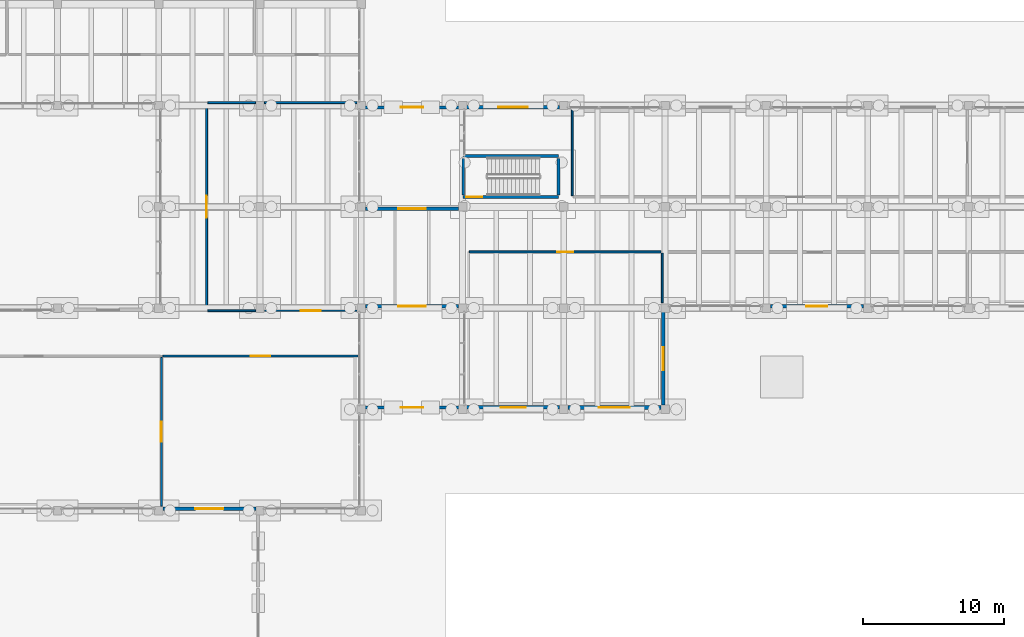
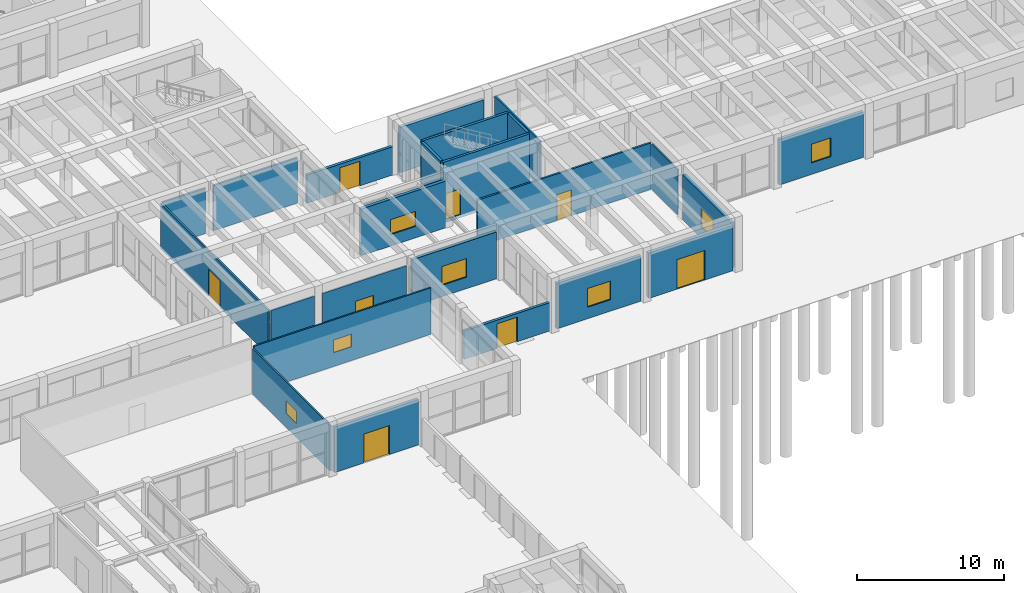
# One storey, part 120 of 155: 24 walls, 9 windows, 7 doors, 16 openings.
"""IFC4 building model written with IfcOpenShell, lengths in metres."""

import ifcopenshell
import ifcopenshell.guid

model = None  # the IFC model being written
_history = None  # IfcOwnerHistory: only IFC2X3 demands one
_inside = {}  # id of a spatial element -> (the spatial element, [elements in it])
_under = {}  # id of a project, library or spatial element -> (it, [spatial elements below it])
_declared = {}  # id of a project -> (the project, [libraries it declares])
_typed = {}  # id of a type object -> (the type object, [elements of that type])
_made_of = {}  # id of a material, layer set ... -> (it, [elements and type objects made of it])


def new_model(schema):
    """Start an empty IFC model of exactly this schema.

    Asked for "IFC4X3", IfcOpenShell would pick the latest addendum, in which some entities
    have other attributes; the version numbers below select the first issue.
    IFC2X3 requires an IfcOwnerHistory on every rooted entity: one is made here for all.
    """
    global model, _history
    if schema == "IFC4X3":
        model = ifcopenshell.file(schema_version=(4, 3, 0, 0))
    else:
        model = ifcopenshell.file(schema=schema)
    _inside.clear()
    _under.clear()
    _declared.clear()
    _typed.clear()
    _made_of.clear()
    _history = None
    if model.schema == "IFC2X3":
        org = make("IfcOrganization", Name="unknown")
        user = make(
            "IfcPersonAndOrganization",
            ThePerson=make("IfcPerson", FamilyName="unknown"),
            TheOrganization=org,
        )
        app = make(
            "IfcApplication",
            ApplicationDeveloper=org,
            Version="unknown",
            ApplicationFullName="unknown",
            ApplicationIdentifier="unknown",
        )
        _history = make(
            "IfcOwnerHistory",
            OwningUser=user,
            OwningApplication=app,
            ChangeAction="ADDED",
            CreationDate=0,
        )
    return model


def make(cls, **values):
    """One entity of the class cls with the attributes given. An attribute that is None is left unset."""
    return model.create_entity(
        cls, **{name: value for name, value in values.items() if value is not None}
    )


def rooted(cls, **values):
    """An entity with a GlobalId (a new one), such as an element, a storey or a relation."""
    return make(cls, GlobalId=ifcopenshell.guid.new(), OwnerHistory=_history, **values)


def si_unit(unit_type, name, prefix=None):
    """IfcSIUnit, for example si_unit("LENGTHUNIT", "METRE", prefix="MILLI")."""
    return make("IfcSIUnit", UnitType=unit_type, Prefix=prefix, Name=name)


def assignment(units):
    """IfcUnitAssignment: the units of a project."""
    return None if units is None else make("IfcUnitAssignment", Units=units)


def point(xyz):
    """IfcCartesianPoint."""
    return None if xyz is None else make("IfcCartesianPoint", Coordinates=xyz)


def direction(xyz):
    """IfcDirection."""
    return None if xyz is None else make("IfcDirection", DirectionRatios=xyz)


def frame(location, z_axis=None, x_axis=None):
    """IfcAxis2Placement3D, a coordinate frame: its origin and axes. An axis left out is left unset."""
    return make(
        "IfcAxis2Placement3D",
        Location=point(location),
        Axis=direction(z_axis),
        RefDirection=direction(x_axis),
    )


def frame_2d(location, x_axis=None):
    """IfcAxis2Placement2D, a coordinate frame in the plane: its origin and x axis."""
    return make(
        "IfcAxis2Placement2D", Location=point(location), RefDirection=direction(x_axis)
    )


def origin():
    """The frame at (0, 0, 0) with its axes left unset."""
    return frame((0.0, 0.0, 0.0))


def place(relative_to, where):
    """IfcLocalPlacement: puts the frame where relative to a parent placement (None: the world)."""
    return make(
        "IfcLocalPlacement", PlacementRelTo=relative_to, RelativePlacement=where
    )


def context(
    kind, dimensions, precision=None, world=None, true_north=None, identifier=None
):
    """IfcGeometricRepresentationContext, for example the 3D "Model" context."""
    return make(
        "IfcGeometricRepresentationContext",
        ContextIdentifier=identifier,
        ContextType=kind,
        CoordinateSpaceDimension=dimensions,
        Precision=precision,
        WorldCoordinateSystem=world,
        TrueNorth=true_north,
    )


def subcontext(parent, identifier, kind, view, scale=None):
    """IfcGeometricRepresentationSubContext, for example "Body" below "Model"."""
    return make(
        "IfcGeometricRepresentationSubContext",
        ContextIdentifier=identifier,
        ContextType=kind,
        ParentContext=parent,
        TargetScale=scale,
        TargetView=view,
    )


def project(units=None, contexts=None):
    """IfcProject with its units and contexts."""
    return rooted(
        "IfcProject",
        Name="project",
        RepresentationContexts=contexts,
        UnitsInContext=assignment(units),
    )


def spatial(cls, under=None, at=None, **own):
    """A site, building, storey or space (cls), placed at a placement, below another one or the project."""
    s = rooted(cls, ObjectPlacement=at, **own)
    if under is not None:
        _under.setdefault(under.id(), (under, []))[1].append(s)
    return s


def profile(cls, at=None, kind="AREA", **sizes):
    """A parametric profile (cls). Its sizes go by their IFC names, for example OverallWidth=200.0."""
    return make(cls, ProfileType=kind, Position=at, **sizes)


def rectangle(**sizes):
    """IfcRectangleProfileDef."""
    return profile("IfcRectangleProfileDef", **sizes)


def extrude(swept, where, along, depth):
    """IfcExtrudedAreaSolid: the profile swept, set in the frame where, extruded along a direction by depth."""
    return make(
        "IfcExtrudedAreaSolid",
        SweptArea=swept,
        Position=where,
        ExtrudedDirection=direction(along),
        Depth=depth,
    )


def shape(context_of_items, identifier, shape_type, items):
    """IfcShapeRepresentation: the items that make up one representation, for example the "Body"."""
    return make(
        "IfcShapeRepresentation",
        ContextOfItems=context_of_items,
        RepresentationIdentifier=identifier,
        RepresentationType=shape_type,
        Items=items,
    )


def material(Name=None, Category=None):
    """IfcMaterial."""
    return make("IfcMaterial", Name=Name, Category=Category)


def layer(
    of_material, thickness, ventilated=None, Name=None, Category=None, Priority=None
):
    """IfcMaterialLayer: one layer of a wall or slab, of a material (None: an air gap)."""
    return make(
        "IfcMaterialLayer",
        Material=of_material,
        LayerThickness=thickness,
        IsVentilated=ventilated,
        Name=Name,
        Category=Category,
        Priority=Priority,
    )


def layer_set(layers, Name=None):
    """IfcMaterialLayerSet."""
    return make("IfcMaterialLayerSet", MaterialLayers=layers, LayerSetName=Name)


def made_of(thing, what):
    """Note that an element or type object is made of a material, layer set ...; save() writes the relation."""
    if what is not None:
        _made_of.setdefault(what.id(), (what, []))[1].append(thing)
    return thing


def type_object(cls, material=None, **own):
    """A type object (cls), such as IfcWallType, which elements share."""
    return made_of(rooted(cls, **own), material)


def element(
    cls,
    number,
    at=None,
    inside=None,
    cuts=None,
    type_object=None,
    material=None,
    context=None,
    identifier="Body",
    shape_type=None,
    held_by="IfcProductDefinitionShape",
    body=None,
    shapes=None,
    **own,
):
    """One element of the class cls, such as IfcWall. Its Tag is "e" and its number.

    at: its placement. inside: the storey or other place that contains it. cuts: it is an
    opening in that element (IfcRelVoidsElement). A single representation is given by context,
    identifier, shape_type and body (its items); several are given by shapes. held_by: the class
    of the entity that holds the representations. save() writes the other relations.
    """
    e = rooted(cls, Tag="e%d" % number, ObjectPlacement=at, **own)
    if body is not None:
        shapes = [shape(context, identifier, shape_type, body)]
    if shapes is not None:
        e.Representation = make(held_by, Representations=shapes)
    if inside is not None:
        _inside.setdefault(inside.id(), (inside, []))[1].append(e)
    if cuts is not None:
        rooted(
            "IfcRelVoidsElement", RelatingBuildingElement=cuts, RelatedOpeningElement=e
        )
    if type_object is not None:
        _typed.setdefault(type_object.id(), (type_object, []))[1].append(e)
    return made_of(e, material)


def fill(opening, filler):
    """IfcRelFillsElement: the door or window that sits in an opening."""
    return rooted(
        "IfcRelFillsElement",
        RelatingOpeningElement=opening,
        RelatedBuildingElement=filler,
    )


def aggregate(whole, parts):
    """IfcRelAggregates: a whole, such as a stair, and the parts it consists of."""
    return rooted("IfcRelAggregates", RelatingObject=whole, RelatedObjects=parts)


def save(model, path):
    """Write the relations noted so far, then the file.

    IfcRelAggregates (storeys below a building ...), IfcRelContainedInSpatialStructure (elements
    in a storey), IfcRelDefinesByType, IfcRelAssociatesMaterial and IfcRelDeclares: one each for
    every whole, place, type object, material and project.
    """
    for whole, parts in _under.values():
        aggregate(whole, parts)
    for where, things in _inside.values():
        rooted(
            "IfcRelContainedInSpatialStructure",
            RelatedElements=things,
            RelatingStructure=where,
        )
    for kind, things in _typed.values():
        rooted("IfcRelDefinesByType", RelatedObjects=things, RelatingType=kind)
    for what, things in _made_of.values():
        rooted("IfcRelAssociatesMaterial", RelatedObjects=things, RelatingMaterial=what)
    for by, libraries in _declared.values():
        rooted("IfcRelDeclares", RelatingContext=by, RelatedDefinitions=libraries)
    model.write(path)


model = new_model("IFC4")

# Units and contexts
model_context = context("Model", 3, precision=1e-05, world=origin(), true_north=direction((0.0, 1.0)))
body_context = subcontext(model_context, "Body", "Model", "MODEL_VIEW")
ifc_project = project(units=[si_unit("LENGTHUNIT", "METRE"), si_unit("AREAUNIT", "SQUARE_METRE"), si_unit("VOLUMEUNIT", "CUBIC_METRE"), si_unit("PLANEANGLEUNIT", "RADIAN"), si_unit("MASSUNIT", "GRAM", prefix="KILO")], contexts=[model_context])

# Site, building, storey
site_placement = place(None, origin())
site = spatial("IfcSite", under=ifc_project, at=site_placement, CompositionType="ELEMENT")
building_placement = place(site_placement, origin())
building = spatial("IfcBuilding", under=site, at=building_placement, Name="Bramvelor Terrace Health Centre", CompositionType="ELEMENT")
storey_placement = place(building_placement, origin())
storey = spatial("IfcBuildingStorey", under=building, at=storey_placement, Name="L01", CompositionType="ELEMENT", Elevation=0.0)

# Wall
ifc_material_1 = material(Name="Acoustic clinical partition board", Category="gypsum")
ifc_layer_1 = layer(ifc_material_1, 0.110107421875)
ifc_layer_set_1 = layer_set([ifc_layer_1], Name="Acoustic clinical partition board")
wall_type_1 = type_object("IfcWallType", Name="WL-CLN-110", PredefinedType="PARTITIONING", material=ifc_layer_set_1)
wall_1_placement = place(storey_placement, frame((115.0, 54.300048828125, 0.0), z_axis=(0.0, 0.0, 1.0), x_axis=(0.0, -1.0, 0.0)))
element("IfcWall", 1, at=wall_1_placement, inside=storey, type_object=wall_type_1, Name="L01 Interior Partition 93", PredefinedType="PARTITIONING", context=body_context, shape_type="SweptSolid", body=[
    extrude(rectangle(XDim=3.5107421875, YDim=0.110107421875, at=frame_2d((1.75537109375, 0.0))), origin(), (0.0, 0.0, 1.0), 3.760009765625),
])

# Wall, opening, window
ifc_material_2 = material(Name="Acoustic clinical partition board", Category="gypsum")
ifc_layer_2 = layer(ifc_material_2, 0.1201171875)
ifc_layer_set_2 = layer_set([ifc_layer_2], Name="Acoustic clinical partition board")
wall_type_2 = type_object("IfcWallType", Name="WL-CLN-120", PredefinedType="PARTITIONING", material=ifc_layer_set_2)
wall_2_placement = place(storey_placement, frame((79.389892578125, 46.89990234375, 0.0), z_axis=(0.0, 0.0, 1.0), x_axis=(0.0, -1.0, 0.0)))
wall_2 = element("IfcWall", 2, at=wall_2_placement, inside=storey, type_object=wall_type_2, Name="L01 Interior Partition 77", PredefinedType="PARTITIONING", context=body_context, shape_type="SweptSolid", body=[
    extrude(rectangle(XDim=10.58984375, YDim=0.1201171875, at=frame_2d((5.294921875, 0.0))), origin(), (0.0, 0.0, 1.0), 3.760009765625),
])
opening_1_placement = place(wall_2_placement, frame((4.594970703125, 0.0, 1.14990234375)))
opening_1 = element("IfcOpeningElement", 3, at=opening_1_placement, cuts=wall_2, Name="Opening IWN-1", PredefinedType="OPENING", context=body_context, shape_type="SweptSolid", body=[
    extrude(rectangle(XDim=1.39990234375, YDim=1.050048828125, at=frame_2d((0.699951171875, 0.52490234375))), frame((0.0, 0.070068359375, 0.0), z_axis=(0.0, -1.0, 0.0), x_axis=(1.0, 0.0, 0.0)), (0.0, 0.0, 1.0), 0.14013671875),
])
ifc_material_3 = material(Name="Acoustic laminated observation glass", Category="glass")
window_type_1 = type_object("IfcWindowType", Name="WIN-INT-OBS140", PartitioningType="SINGLE_PANEL", PredefinedType="WINDOW", material=ifc_material_3)
window_1_placement = place(opening_1_placement, origin())
window_1 = element("IfcWindow", 4, at=window_1_placement, inside=storey, type_object=window_type_1, Name="L01 Clinical Observation Window 9", OverallHeight=1.050048828125, OverallWidth=1.39990234375, PartitioningType="SINGLE_PANEL", PredefinedType="WINDOW", context=body_context, shape_type="SweptSolid", body=[
    extrude(rectangle(XDim=1.39990234375, YDim=1.050048828125, at=frame_2d((0.699951171875, 0.52490234375))), frame((0.0, 0.030029296875, 0.0), z_axis=(0.0, -1.0, 0.0), x_axis=(1.0, 0.0, 0.0)), (0.0, 0.0, 1.0), 0.06005859375),
])
fill(opening_1, window_1)

wall_3_placement = place(storey_placement, frame((79.489990234375, 46.989990234375, 0.0), z_axis=(0.0, 0.0, 1.0), x_axis=(1.0, 0.0, 0.0)))
wall_3 = element("IfcWall", 5, at=wall_3_placement, inside=storey, type_object=wall_type_2, Name="L01 Interior Partition 80", PredefinedType="PARTITIONING", context=body_context, shape_type="SweptSolid", body=[
    extrude(rectangle(XDim=13.880126953125, YDim=0.1201171875, at=frame_2d((6.93994140625, 0.0))), origin(), (0.0, 0.0, 1.0), 3.860107421875),
])
opening_2_placement = place(wall_3_placement, frame((6.239990234375, 0.0, 1.14990234375)))
opening_2 = element("IfcOpeningElement", 6, at=opening_2_placement, cuts=wall_3, Name="Opening IWN-1", PredefinedType="OPENING", context=body_context, shape_type="SweptSolid", body=[
    extrude(rectangle(XDim=1.39990234375, YDim=1.050048828125, at=frame_2d((0.699951171875, 0.52490234375))), frame((0.0, 0.070068359375, 0.0), z_axis=(0.0, -1.0, 0.0), x_axis=(1.0, 0.0, 0.0)), (0.0, 0.0, 1.0), 0.14013671875),
])
window_2_placement = place(opening_2_placement, origin())
window_2 = element("IfcWindow", 7, at=window_2_placement, inside=storey, type_object=window_type_1, Name="L01 Clinical Observation Window 10", OverallHeight=1.050048828125, OverallWidth=1.39990234375, PartitioningType="SINGLE_PANEL", PredefinedType="WINDOW", context=body_context, shape_type="SweptSolid", body=[
    extrude(rectangle(XDim=1.39990234375, YDim=1.050048828125, at=frame_2d((0.699951171875, 0.52490234375))), frame((0.0, 0.030029296875, 0.0), z_axis=(0.0, -1.0, 0.0), x_axis=(1.0, 0.0, 0.0)), (0.0, 0.0, 1.0), 0.06005859375),
])
fill(opening_2, window_2)

wall_4_placement = place(storey_placement, frame((93.2900390625, 50.2099609375, 0.0), z_axis=(0.0, 0.0, 1.0), x_axis=(-1.0, 0.0, 0.0)))
wall_4 = element("IfcWall", 8, at=wall_4_placement, inside=storey, type_object=wall_type_2, Name="L01 Interior Partition 83", PredefinedType="PARTITIONING", context=body_context, shape_type="SweptSolid", body=[
    extrude(rectangle(XDim=6.574951171875, YDim=0.1201171875, at=frame_2d((3.28759765625, 0.0))), origin(), (0.0, 0.0, 1.0), 3.760009765625),
])
opening_3_placement = place(wall_4_placement, frame((2.58740234375, 0.0, 1.14990234375)))
opening_3 = element("IfcOpeningElement", 9, at=opening_3_placement, cuts=wall_4, Name="Opening IWN-1", PredefinedType="OPENING", context=body_context, shape_type="SweptSolid", body=[
    extrude(rectangle(XDim=1.39990234375, YDim=1.050048828125, at=frame_2d((0.699951171875, 0.52490234375))), frame((0.0, 0.070068359375, 0.0), z_axis=(0.0, -1.0, 0.0), x_axis=(1.0, 0.0, 0.0)), (0.0, 0.0, 1.0), 0.14013671875),
])
window_3_placement = place(opening_3_placement, origin())
window_3 = element("IfcWindow", 10, at=window_3_placement, inside=storey, type_object=window_type_1, Name="L01 Clinical Observation Window 12", OverallHeight=1.050048828125, OverallWidth=1.39990234375, PartitioningType="SINGLE_PANEL", PredefinedType="WINDOW", context=body_context, shape_type="SweptSolid", body=[
    extrude(rectangle(XDim=1.39990234375, YDim=1.050048828125, at=frame_2d((0.699951171875, 0.52490234375))), frame((0.0, 0.030029296875, 0.0), z_axis=(0.0, -1.0, 0.0), x_axis=(1.0, 0.0, 0.0)), (0.0, 0.0, 1.0), 0.06005859375),
])
fill(opening_3, window_3)

# Walls
wall_5_placement = place(storey_placement, frame((86.0849609375, 50.2099609375, 0.0), z_axis=(0.0, 0.0, 1.0), x_axis=(-1.0, 0.0, 0.0)))
element("IfcWall", 11, at=wall_5_placement, inside=storey, type_object=wall_type_2, Name="L01 Interior Partition 84", PredefinedType="PARTITIONING", context=body_context, shape_type="SweptSolid", body=[
    extrude(rectangle(XDim=3.39306640625, YDim=0.1201171875, at=frame_2d((1.696533203125, 0.0))), origin(), (0.0, 0.0, 1.0), 3.760009765625),
])
ifc_material_4 = material(Name="Acoustic clinical partition board", Category="gypsum")
ifc_layer_3 = layer(ifc_material_4, 0.1298828125)
ifc_layer_set_3 = layer_set([ifc_layer_3], Name="Acoustic clinical partition board")
wall_type_3 = type_object("IfcWallType", Name="WL-CLN-130", PredefinedType="PARTITIONING", material=ifc_layer_set_3)
wall_6_placement = place(storey_placement, frame((108.60009765625, 58.3876953125, 0.0), z_axis=(0.0, 0.0, 1.0), x_axis=(0.0, 1.0, 0.0)))
element("IfcWall", 12, at=wall_6_placement, inside=storey, type_object=wall_type_3, Name="L01 Interior Partition 100", PredefinedType="PARTITIONING", context=body_context, shape_type="SweptSolid", body=[
    extrude(rectangle(XDim=6.182373046875, YDim=0.1298828125, at=frame_2d((3.09130859375, 0.0))), origin(), (0.0, 0.0, 1.0), 3.760009765625),
])

# Wall, opening, door
ifc_material_5 = material(Name="Fire-rated gypsum and mineral wool", Category="gypsum")
ifc_layer_4 = layer(ifc_material_5, 0.139892578125)
ifc_layer_set_4 = layer_set([ifc_layer_4], Name="Fire-rated gypsum and mineral wool")
wall_type_4 = type_object("IfcWallType", Name="WL-COR-140", PredefinedType="PARTITIONING", material=ifc_layer_set_4)
wall_7_placement = place(storey_placement, frame((82.60205078125, 50.300048828125, 0.0), z_axis=(0.0, 0.0, 1.0), x_axis=(0.0, 1.0, 0.0)))
wall_7 = element("IfcWall", 13, at=wall_7_placement, inside=storey, type_object=wall_type_4, Name="L01 Interior Partition 85", PredefinedType="PARTITIONING", context=body_context, shape_type="SweptSolid", body=[
    extrude(rectangle(XDim=14.60791015625, YDim=0.139892578125, at=frame_2d((7.303955078125, 0.0))), origin(), (0.0, 0.0, 1.0), 3.760009765625),
])
opening_4_placement = place(wall_7_placement, frame((6.52392578125, 0.0, 0.0)))
opening_4 = element("IfcOpeningElement", 14, at=opening_4_placement, cuts=wall_7, Name="Opening FD-03", PredefinedType="OPENING", context=body_context, shape_type="SweptSolid", body=[
    extrude(rectangle(XDim=1.56005859375, YDim=2.219970703125, at=frame_2d((0.780029296875, 1.10986328125))), frame((0.0, 0.079833984375, 0.0), z_axis=(0.0, -1.0, 0.0), x_axis=(1.0, 0.0, 0.0)), (0.0, 0.0, 1.0), 0.159912109375),
])
ifc_material_6 = material(Name="Fire-rated steel and vision panel", Category="steel")
door_type_1 = type_object("IfcDoorType", Name="DR-FD90-156", OperationType="DOUBLE_DOOR_SINGLE_SWING", PredefinedType="DOOR", material=ifc_material_6)
door_1_placement = place(opening_4_placement, origin())
door_1 = element("IfcDoor", 15, at=door_1_placement, inside=storey, type_object=door_type_1, Name="L01 Maternal Immunization Suite Fire Door", OperationType="DOUBLE_DOOR_SINGLE_SWING", OverallHeight=2.219970703125, OverallWidth=1.56005859375, PredefinedType="DOOR", context=body_context, shape_type="SweptSolid", body=[
    extrude(rectangle(XDim=1.56005859375, YDim=2.219970703125, at=frame_2d((0.780029296875, 1.10986328125))), frame((0.0, 0.02490234375, 0.0), z_axis=(0.0, -1.0, 0.0), x_axis=(1.0, 0.0, 0.0)), (0.0, 0.0, 1.0), 0.050048828125),
])
fill(opening_4, door_1)

# Walls
wall_8_placement = place(storey_placement, frame((82.69189453125, 64.998046875, 0.0), z_axis=(0.0, 0.0, 1.0), x_axis=(1.0, 0.0, 0.0)))
element("IfcWall", 16, at=wall_8_placement, inside=storey, type_object=wall_type_4, Name="L01 Interior Partition 86", PredefinedType="PARTITIONING", context=body_context, shape_type="SweptSolid", body=[
    extrude(rectangle(XDim=3.39306640625, YDim=0.139892578125, at=frame_2d((1.696533203125, 0.0))), origin(), (0.0, 0.0, 1.0), 3.760009765625),
])
wall_9_placement = place(storey_placement, frame((86.715087890625, 64.998046875, 0.0), z_axis=(0.0, 0.0, 1.0), x_axis=(1.0, 0.0, 0.0)))
element("IfcWall", 17, at=wall_9_placement, inside=storey, type_object=wall_type_4, Name="L01 Interior Partition 87", PredefinedType="PARTITIONING", context=body_context, shape_type="SweptSolid", body=[
    extrude(rectangle(XDim=6.574951171875, YDim=0.139892578125, at=frame_2d((3.28759765625, 0.0))), origin(), (0.0, 0.0, 1.0), 3.760009765625),
])

# Wall, opening, door
wall_10_placement = place(storey_placement, frame((101.2900390625, 54.389892578125, 0.0), z_axis=(0.0, 0.0, 1.0), x_axis=(1.0, 0.0, 0.0)))
wall_10 = element("IfcWall", 18, at=wall_10_placement, inside=storey, type_object=wall_type_4, Name="L01 Interior Partition 92", PredefinedType="PARTITIONING", context=body_context, shape_type="SweptSolid", body=[
    extrude(rectangle(XDim=13.619873046875, YDim=0.139892578125, at=frame_2d((6.81005859375, 0.0))), origin(), (0.0, 0.0, 1.0), 3.860107421875),
])
opening_5_placement = place(wall_10_placement, frame((6.25, 0.0, 0.0)))
opening_5 = element("IfcOpeningElement", 19, at=opening_5_placement, cuts=wall_10, Name="Opening FD-06", PredefinedType="OPENING", context=body_context, shape_type="SweptSolid", body=[
    extrude(rectangle(XDim=1.1201171875, YDim=2.139892578125, at=frame_2d((0.56005859375, 1.06982421875))), frame((0.0, 0.079833984375, 0.0), z_axis=(0.0, -1.0, 0.0), x_axis=(1.0, 0.0, 0.0)), (0.0, 0.0, 1.0), 0.159912109375),
])
ifc_material_7 = material(Name="Fire-rated steel and vision panel", Category="steel")
door_type_2 = type_object("IfcDoorType", Name="DR-FD60-112", OperationType="NOTDEFINED", PredefinedType="DOOR", material=ifc_material_7)
door_2_placement = place(opening_5_placement, origin())
door_2 = element("IfcDoor", 20, at=door_2_placement, inside=storey, type_object=door_type_2, Name="L01 Day Surgery Admissions Suite Fire Door", OperationType="SINGLE_SWING_LEFT", OverallHeight=2.139892578125, OverallWidth=1.1201171875, PredefinedType="DOOR", context=body_context, shape_type="SweptSolid", body=[
    extrude(rectangle(XDim=1.1201171875, YDim=2.139892578125, at=frame_2d((0.56005859375, 1.06982421875))), frame((0.0, 0.02490234375, 0.0), z_axis=(0.0, -1.0, 0.0), x_axis=(1.0, 0.0, 0.0)), (0.0, 0.0, 1.0), 0.050048828125),
])
fill(opening_5, door_2)

ifc_material_8 = material(Name="Concrete C40/50", Category="concrete")
ifc_layer_5 = layer(ifc_material_8, 0.199951171875)
ifc_layer_set_5 = layer_set([ifc_layer_5], Name="Concrete C40/50")
wall_type_5 = type_object("IfcWallType", Name="WL-CORE-200", PredefinedType="SHEAR", material=ifc_layer_set_5)
wall_11_placement = place(storey_placement, frame((100.85009765625, 58.300048828125, -0.25), z_axis=(0.0, 0.0, 1.0), x_axis=(1.0, 0.0, 0.0)))
wall_11 = element("IfcWall", 21, at=wall_11_placement, inside=storey, type_object=wall_type_5, Name="ST-5 L01 Stair Shaft Wall", PredefinedType="SHEAR", context=body_context, shape_type="SweptSolid", body=[
    extrude(rectangle(XDim=6.77490234375, YDim=0.199951171875, at=frame_2d((3.387451171875, 0.0))), origin(), (0.0, 0.0, 1.0), 5.050048828125),
])
opening_6_placement = place(wall_11_placement, frame((0.219970703125, 0.0, 0.25)))
opening_6 = element("IfcOpeningElement", 22, at=opening_6_placement, cuts=wall_11, Name="Opening FD-06", PredefinedType="OPENING", context=body_context, shape_type="SweptSolid", body=[
    extrude(rectangle(XDim=1.1201171875, YDim=2.139892578125, at=frame_2d((0.56005859375, 1.06982421875))), frame((0.0, 0.10986328125, 0.0), z_axis=(0.0, -1.0, 0.0), x_axis=(1.0, 0.0, 0.0)), (0.0, 0.0, 1.0), 0.219970703125),
])
door_3_placement = place(opening_6_placement, origin())
door_3 = element("IfcDoor", 23, at=door_3_placement, inside=storey, type_object=door_type_2, Name="ST-5 L01 Exit Stair Fire Door", OperationType="SINGLE_SWING_LEFT", OverallHeight=2.139892578125, OverallWidth=1.1201171875, PredefinedType="DOOR", context=body_context, shape_type="SweptSolid", body=[
    extrude(rectangle(XDim=1.1201171875, YDim=2.139892578125, at=frame_2d((0.56005859375, 1.06982421875))), frame((0.0, 0.02490234375, 0.0), z_axis=(0.0, -1.0, 0.0), x_axis=(1.0, 0.0, 0.0)), (0.0, 0.0, 1.0), 0.050048828125),
])
fill(opening_6, door_3)

# Walls
wall_12_placement = place(storey_placement, frame((100.85009765625, 61.199951171875, -0.25), z_axis=(0.0, 0.0, 1.0), x_axis=(1.0, 0.0, 0.0)))
element("IfcWall", 24, at=wall_12_placement, inside=storey, type_object=wall_type_5, Name="ST-5 L01 Stair Shaft Wall", PredefinedType="SHEAR", context=body_context, shape_type="SweptSolid", body=[
    extrude(rectangle(XDim=6.77490234375, YDim=0.199951171875, at=frame_2d((3.387451171875, 0.0))), origin(), (0.0, 0.0, 1.0), 5.050048828125),
])
for number, where, z_axis, x_axis, name in (
    (25, (100.85009765625, 58.449951171875, -0.25), (0.0, 0.0, 1.0), (0.0, 1.0, 0.0), "ST-5 L01 Stair Shaft Wall"),
    (26, (107.625, 58.449951171875, -0.25), (0.0, 0.0, 1.0), (0.0, 1.0, 0.0), "ST-5 L01 Stair Shaft Wall"),
):
    element("IfcWall", number, at=place(storey_placement, frame(where, z_axis=z_axis, x_axis=x_axis)), inside=storey, type_object=wall_type_5, Name=name, PredefinedType="SHEAR", context=body_context, shape_type="SweptSolid", body=[
        extrude(rectangle(XDim=2.60009765625, YDim=0.199951171875, at=frame_2d((1.300048828125, 0.0))), origin(), (0.0, 0.0, 1.0), 5.050048828125),
    ])

# Wall, opening, window
ifc_material_9 = material(Name="Precast concrete C40/50", Category="concrete")
ifc_layer_6 = layer(ifc_material_9, 0.25)
ifc_layer_set_6 = layer_set([ifc_layer_6], Name="Precast concrete C40/50")
wall_type_6 = type_object("IfcWallType", Name="WL-EXT-RC250", PredefinedType="SOLIDWALL", material=ifc_layer_set_6)
wall_13_placement = place(storey_placement, frame((93.89501953125, 57.469970703125, 0.0), z_axis=(0.0, 0.0, 1.0), x_axis=(1.0, 0.0, 0.0)))
wall_13 = element("IfcWall", 27, at=wall_13_placement, inside=storey, type_object=wall_type_6, Name="L01 Exterior Facade Wall 77", PredefinedType="SOLIDWALL", context=body_context, shape_type="SweptSolid", body=[
    extrude(rectangle(XDim=6.60986328125, YDim=0.25, at=frame_2d((3.304931640625, 0.0))), origin(), (0.0, 0.0, 1.0), 3.8798828125),
])
opening_7_placement = place(wall_13_placement, frame((2.330078125, 0.0, 0.949951171875)))
opening_7 = element("IfcOpeningElement", 28, at=opening_7_placement, cuts=wall_13, Name="Opening WN-33", PredefinedType="OPENING", context=body_context, shape_type="SweptSolid", body=[
    extrude(rectangle(XDim=1.949951171875, YDim=1.25, at=frame_2d((0.97509765625, 0.625))), frame((0.0, 0.135009765625, 0.0), z_axis=(0.0, -1.0, 0.0), x_axis=(1.0, 0.0, 0.0)), (0.0, 0.0, 1.0), 0.27001953125),
])
ifc_material_10 = material(Name="Double low-E laminated glass", Category="glass")
window_type_2 = type_object("IfcWindowType", Name="WIN-EXT-33", PartitioningType="SINGLE_PANEL", PredefinedType="WINDOW", material=ifc_material_10)
window_4_placement = place(opening_7_placement, origin())
window_4 = element("IfcWindow", 29, at=window_4_placement, inside=storey, type_object=window_type_2, Name="L01 Scheduled Clinical Window 33", OverallHeight=1.25, OverallWidth=1.949951171875, PartitioningType="SINGLE_PANEL", PredefinedType="WINDOW", context=body_context, shape_type="SweptSolid", body=[
    extrude(rectangle(XDim=1.949951171875, YDim=1.25, at=frame_2d((0.97509765625, 0.625))), frame((0.0, 0.030029296875, 0.0), z_axis=(0.0, -1.0, 0.0), x_axis=(1.0, 0.0, 0.0)), (0.0, 0.0, 1.0), 0.06005859375),
])
fill(opening_7, window_4)

wall_14_placement = place(storey_placement, frame((101.094970703125, 64.669921875, 0.0), z_axis=(0.0, 0.0, 1.0), x_axis=(1.0, 0.0, 0.0)))
wall_14 = element("IfcWall", 30, at=wall_14_placement, inside=storey, type_object=wall_type_6, Name="L01 Exterior Facade Wall 79", PredefinedType="SOLIDWALL", context=body_context, shape_type="SweptSolid", body=[
    extrude(rectangle(XDim=6.610107421875, YDim=0.25, at=frame_2d((3.30517578125, 0.0))), origin(), (0.0, 0.0, 1.0), 3.760009765625),
])
opening_8_placement = place(wall_14_placement, frame((2.2548828125, 0.0, 0.949951171875)))
opening_8 = element("IfcOpeningElement", 31, at=opening_8_placement, cuts=wall_14, Name="Opening WN-34", PredefinedType="OPENING", context=body_context, shape_type="SweptSolid", body=[
    extrude(rectangle(XDim=2.10009765625, YDim=1.25, at=frame_2d((1.050048828125, 0.625))), frame((0.0, 0.135009765625, 0.0), z_axis=(0.0, -1.0, 0.0), x_axis=(1.0, 0.0, 0.0)), (0.0, 0.0, 1.0), 0.27001953125),
])
ifc_material_11 = material(Name="Double low-E laminated glass", Category="glass")
window_type_3 = type_object("IfcWindowType", Name="WIN-EXT-34", PartitioningType="SINGLE_PANEL", PredefinedType="WINDOW", material=ifc_material_11)
window_5_placement = place(opening_8_placement, origin())
window_5 = element("IfcWindow", 32, at=window_5_placement, inside=storey, type_object=window_type_3, Name="L01 Scheduled Clinical Window 34", OverallHeight=1.25, OverallWidth=2.10009765625, PartitioningType="SINGLE_PANEL", PredefinedType="WINDOW", context=body_context, shape_type="SweptSolid", body=[
    extrude(rectangle(XDim=2.10009765625, YDim=1.25, at=frame_2d((1.050048828125, 0.625))), frame((0.0, 0.030029296875, 0.0), z_axis=(0.0, -1.0, 0.0), x_axis=(1.0, 0.0, 0.0)), (0.0, 0.0, 1.0), 0.06005859375),
])
fill(opening_8, window_5)

wall_15_placement = place(storey_placement, frame((129.304931640625, 50.530029296875, 0.0), z_axis=(0.0, 0.0, 1.0), x_axis=(-1.0, 0.0, 0.0)))
wall_15 = element("IfcWall", 33, at=wall_15_placement, inside=storey, type_object=wall_type_6, Name="L01 Exterior Facade Wall 97", PredefinedType="SOLIDWALL", context=body_context, shape_type="SweptSolid", body=[
    extrude(rectangle(XDim=6.60986328125, YDim=0.25, at=frame_2d((3.304931640625, 0.0))), origin(), (0.0, 0.0, 1.0), 3.760009765625),
])
opening_9_placement = place(wall_15_placement, frame((2.554931640625, 0.0, 0.949951171875)))
opening_9 = element("IfcOpeningElement", 34, at=opening_9_placement, cuts=wall_15, Name="Opening WN-42", PredefinedType="OPENING", context=body_context, shape_type="SweptSolid", body=[
    extrude(rectangle(XDim=1.5, YDim=1.550048828125, at=frame_2d((0.75, 0.77490234375))), frame((0.0, 0.135009765625, 0.0), z_axis=(0.0, -1.0, 0.0), x_axis=(1.0, 0.0, 0.0)), (0.0, 0.0, 1.0), 0.27001953125),
])
ifc_material_12 = material(Name="Double low-E laminated glass", Category="glass")
window_type_4 = type_object("IfcWindowType", Name="WIN-EXT-42", PartitioningType="SINGLE_PANEL", PredefinedType="WINDOW", material=ifc_material_12)
window_6_placement = place(opening_9_placement, origin())
window_6 = element("IfcWindow", 35, at=window_6_placement, inside=storey, type_object=window_type_4, Name="L01 Scheduled Clinical Window 42", OverallHeight=1.550048828125, OverallWidth=1.5, PartitioningType="SINGLE_PANEL", PredefinedType="WINDOW", context=body_context, shape_type="SweptSolid", body=[
    extrude(rectangle(XDim=1.5, YDim=1.550048828125, at=frame_2d((0.75, 0.77490234375))), frame((0.0, 0.030029296875, 0.0), z_axis=(0.0, -1.0, 0.0), x_axis=(1.0, 0.0, 0.0)), (0.0, 0.0, 1.0), 0.06005859375),
])
fill(opening_9, window_6)

wall_16_placement = place(storey_placement, frame((115.070068359375, 50.10498046875, 0.0), z_axis=(0.0, 0.0, 1.0), x_axis=(0.0, -1.0, 0.0)))
wall_16 = element("IfcWall", 36, at=wall_16_placement, inside=storey, type_object=wall_type_6, Name="L01 Exterior Facade Wall 99", PredefinedType="SOLIDWALL", context=body_context, shape_type="SweptSolid", body=[
    extrude(rectangle(XDim=6.60986328125, YDim=0.25, at=frame_2d((3.304931640625, 0.0))), origin(), (0.0, 0.0, 1.0), 3.760009765625),
])
opening_10_placement = place(wall_16_placement, frame((2.47998046875, 0.0, 0.949951171875)))
opening_10 = element("IfcOpeningElement", 37, at=opening_10_placement, cuts=wall_16, Name="Opening WN-43", PredefinedType="OPENING", context=body_context, shape_type="SweptSolid", body=[
    extrude(rectangle(XDim=1.64990234375, YDim=1.550048828125, at=frame_2d((0.824951171875, 0.77490234375))), frame((0.0, 0.135009765625, 0.0), z_axis=(0.0, -1.0, 0.0), x_axis=(1.0, 0.0, 0.0)), (0.0, 0.0, 1.0), 0.27001953125),
])
ifc_material_13 = material(Name="Double low-E laminated glass", Category="glass")
window_type_5 = type_object("IfcWindowType", Name="WIN-EXT-43", PartitioningType="SINGLE_PANEL", PredefinedType="WINDOW", material=ifc_material_13)
window_7_placement = place(opening_10_placement, origin())
window_7 = element("IfcWindow", 38, at=window_7_placement, inside=storey, type_object=window_type_5, Name="L01 Scheduled Clinical Window 43", OverallHeight=1.550048828125, OverallWidth=1.64990234375, PartitioningType="SINGLE_PANEL", PredefinedType="WINDOW", context=body_context, shape_type="SweptSolid", body=[
    extrude(rectangle(XDim=1.64990234375, YDim=1.550048828125, at=frame_2d((0.824951171875, 0.77490234375))), frame((0.0, 0.030029296875, 0.0), z_axis=(0.0, -1.0, 0.0), x_axis=(1.0, 0.0, 0.0)), (0.0, 0.0, 1.0), 0.06005859375),
])
fill(opening_10, window_7)

wall_17_placement = place(storey_placement, frame((107.705078125, 43.330078125, 0.0), z_axis=(0.0, 0.0, 1.0), x_axis=(-1.0, 0.0, 0.0)))
wall_17 = element("IfcWall", 39, at=wall_17_placement, inside=storey, type_object=wall_type_6, Name="L01 Exterior Facade Wall 101", PredefinedType="SOLIDWALL", context=body_context, shape_type="SweptSolid", body=[
    extrude(rectangle(XDim=6.610107421875, YDim=0.25, at=frame_2d((3.30517578125, 0.0))), origin(), (0.0, 0.0, 1.0), 3.760009765625),
])
opening_11_placement = place(wall_17_placement, frame((2.405029296875, 0.0, 0.949951171875)))
opening_11 = element("IfcOpeningElement", 40, at=opening_11_placement, cuts=wall_17, Name="Opening WN-44", PredefinedType="OPENING", context=body_context, shape_type="SweptSolid", body=[
    extrude(rectangle(XDim=1.800048828125, YDim=1.550048828125, at=frame_2d((0.89990234375, 0.77490234375))), frame((0.0, 0.135009765625, 0.0), z_axis=(0.0, -1.0, 0.0), x_axis=(1.0, 0.0, 0.0)), (0.0, 0.0, 1.0), 0.27001953125),
])
ifc_material_14 = material(Name="Double low-E laminated glass", Category="glass")
window_type_6 = type_object("IfcWindowType", Name="WIN-EXT-44", PartitioningType="SINGLE_PANEL", PredefinedType="WINDOW", material=ifc_material_14)
window_8_placement = place(opening_11_placement, origin())
window_8 = element("IfcWindow", 41, at=window_8_placement, inside=storey, type_object=window_type_6, Name="L01 Scheduled Clinical Window 44", OverallHeight=1.550048828125, OverallWidth=1.800048828125, PartitioningType="SINGLE_PANEL", PredefinedType="WINDOW", context=body_context, shape_type="SweptSolid", body=[
    extrude(rectangle(XDim=1.800048828125, YDim=1.550048828125, at=frame_2d((0.89990234375, 0.77490234375))), frame((0.0, 0.030029296875, 0.0), z_axis=(0.0, -1.0, 0.0), x_axis=(1.0, 0.0, 0.0)), (0.0, 0.0, 1.0), 0.06005859375),
])
fill(opening_11, window_8)

wall_18_placement = place(storey_placement, frame((100.5048828125, 50.530029296875, 0.0), z_axis=(0.0, 0.0, 1.0), x_axis=(-1.0, 0.0, 0.0)))
wall_18 = element("IfcWall", 42, at=wall_18_placement, inside=storey, type_object=wall_type_6, Name="L01 Exterior Facade Wall 103", PredefinedType="SOLIDWALL", context=body_context, shape_type="SweptSolid", body=[
    extrude(rectangle(XDim=6.60986328125, YDim=0.25, at=frame_2d((3.304931640625, 0.0))), origin(), (0.0, 0.0, 1.0), 3.8798828125),
])
opening_12_placement = place(wall_18_placement, frame((2.330078125, 0.0, 0.949951171875)))
opening_12 = element("IfcOpeningElement", 43, at=opening_12_placement, cuts=wall_18, Name="Opening WN-45", PredefinedType="OPENING", context=body_context, shape_type="SweptSolid", body=[
    extrude(rectangle(XDim=1.949951171875, YDim=1.550048828125, at=frame_2d((0.97509765625, 0.77490234375))), frame((0.0, 0.135009765625, 0.0), z_axis=(0.0, -1.0, 0.0), x_axis=(1.0, 0.0, 0.0)), (0.0, 0.0, 1.0), 0.27001953125),
])
ifc_material_15 = material(Name="Double low-E laminated glass", Category="glass")
window_type_7 = type_object("IfcWindowType", Name="WIN-EXT-45", PartitioningType="SINGLE_PANEL", PredefinedType="WINDOW", material=ifc_material_15)
window_9_placement = place(opening_12_placement, origin())
window_9 = element("IfcWindow", 44, at=window_9_placement, inside=storey, type_object=window_type_7, Name="L01 Scheduled Clinical Window 45", OverallHeight=1.550048828125, OverallWidth=1.949951171875, PartitioningType="SINGLE_PANEL", PredefinedType="WINDOW", context=body_context, shape_type="SweptSolid", body=[
    extrude(rectangle(XDim=1.949951171875, YDim=1.550048828125, at=frame_2d((0.97509765625, 0.77490234375))), frame((0.0, 0.030029296875, 0.0), z_axis=(0.0, -1.0, 0.0), x_axis=(1.0, 0.0, 0.0)), (0.0, 0.0, 1.0), 0.06005859375),
])
fill(opening_12, window_9)

# Wall, opening, door
wall_19_placement = place(storey_placement, frame((86.10498046875, 36.1298828125, 0.0), z_axis=(0.0, 0.0, 1.0), x_axis=(-1.0, 0.0, 0.0)))
wall_19 = element("IfcWall", 45, at=wall_19_placement, inside=storey, type_object=wall_type_6, Name="L01 Exterior Facade Wall 107", PredefinedType="SOLIDWALL", context=body_context, shape_type="SweptSolid", body=[
    extrude(rectangle(XDim=6.60986328125, YDim=0.25, at=frame_2d((3.304931640625, 0.0))), origin(), (0.0, 0.0, 1.0), 3.760009765625),
])
opening_13_placement = place(wall_19_placement, frame((2.304931640625, 0.0, 0.0)))
opening_13 = element("IfcOpeningElement", 46, at=opening_13_placement, cuts=wall_19, Name="Opening ED-03", PredefinedType="OPENING", context=body_context, shape_type="SweptSolid", body=[
    extrude(rectangle(XDim=2.0, YDim=2.39990234375, at=frame_2d((1.0, 1.199951171875))), frame((0.0, 0.135009765625, 0.0), z_axis=(0.0, -1.0, 0.0), x_axis=(1.0, 0.0, 0.0)), (0.0, 0.0, 1.0), 0.27001953125),
])
ifc_material_16 = material(Name="Anodized aluminium and laminated glass", Category="aluminium")
door_type_3 = type_object("IfcDoorType", Name="DR-EXT-VEST-200", OperationType="DOUBLE_DOOR_SINGLE_SWING", PredefinedType="DOOR", material=ifc_material_16)
door_4_placement = place(opening_13_placement, origin())
door_4 = element("IfcDoor", 47, at=door_4_placement, inside=storey, type_object=door_type_3, Name="L01 Exterior Door 10", OperationType="DOUBLE_DOOR_SINGLE_SWING", OverallHeight=2.39990234375, OverallWidth=2.0, PredefinedType="DOOR", context=body_context, shape_type="SweptSolid", body=[
    extrude(rectangle(XDim=2.0, YDim=2.39990234375, at=frame_2d((1.0, 1.199951171875))), frame((0.0, 0.02490234375, 0.0), z_axis=(0.0, -1.0, 0.0), x_axis=(1.0, 0.0, 0.0)), (0.0, 0.0, 1.0), 0.050048828125),
])
fill(opening_13, door_4)

ifc_material_17 = material(Name="Precast concrete C40/50", Category="concrete")
ifc_layer_7 = layer(ifc_material_17, 0.280029296875)
ifc_layer_set_7 = layer_set([ifc_layer_7], Name="Precast concrete C40/50")
wall_type_7 = type_object("IfcWallType", Name="WL-EXT-RC280", PredefinedType="SOLIDWALL", material=ifc_layer_set_7)
wall_20_placement = place(storey_placement, frame((114.905029296875, 43.330078125, 0.0), z_axis=(0.0, 0.0, 1.0), x_axis=(-1.0, 0.0, 0.0)))
wall_20 = element("IfcWall", 48, at=wall_20_placement, inside=storey, type_object=wall_type_7, Name="L01 Exterior Facade Wall 100", PredefinedType="SOLIDWALL", context=body_context, shape_type="SweptSolid", body=[
    extrude(rectangle(XDim=6.610107421875, YDim=0.280029296875, at=frame_2d((3.30517578125, 0.0))), origin(), (0.0, 0.0, 1.0), 3.760009765625),
])
opening_14_placement = place(wall_20_placement, frame((2.205078125, 0.0, 0.0)))
opening_14 = element("IfcOpeningElement", 49, at=opening_14_placement, cuts=wall_20, Name="Opening ED-02", PredefinedType="OPENING", context=body_context, shape_type="SweptSolid", body=[
    extrude(rectangle(XDim=2.199951171875, YDim=2.449951171875, at=frame_2d((1.10009765625, 1.22509765625))), frame((0.0, 0.14990234375, 0.0), z_axis=(0.0, -1.0, 0.0), x_axis=(1.0, 0.0, 0.0)), (0.0, 0.0, 1.0), 0.300048828125),
])
ifc_material_18 = material(Name="Anodized aluminium and laminated glass", Category="aluminium")
door_type_4 = type_object("IfcDoorType", Name="DR-EXT-MAIN-220", OperationType="DOUBLE_DOOR_SINGLE_SWING", PredefinedType="DOOR", material=ifc_material_18)
door_5_placement = place(opening_14_placement, origin())
door_5 = element("IfcDoor", 50, at=door_5_placement, inside=storey, type_object=door_type_4, Name="L01 Exterior Door 9", OperationType="DOUBLE_DOOR_SINGLE_SWING", OverallHeight=2.449951171875, OverallWidth=2.199951171875, PredefinedType="DOOR", context=body_context, shape_type="SweptSolid", body=[
    extrude(rectangle(XDim=2.199951171875, YDim=2.449951171875, at=frame_2d((1.10009765625, 1.22509765625))), frame((0.0, 0.02490234375, 0.0), z_axis=(0.0, -1.0, 0.0), x_axis=(1.0, 0.0, 0.0)), (0.0, 0.0, 1.0), 0.050048828125),
])
fill(opening_14, door_5)

ifc_material_19 = material(Name="Precast concrete C40/50", Category="concrete")
ifc_layer_8 = layer(ifc_material_19, 0.2099609375)
ifc_layer_set_8 = layer_set([ifc_layer_8], Name="Precast concrete C40/50")
wall_type_8 = type_object("IfcWallType", Name="WL-YARD-210", PredefinedType="SOLIDWALL", material=ifc_layer_set_8)
wall_21_placement = place(storey_placement, frame((93.820068359375, 43.330078125, 0.0), z_axis=(0.0, 0.0, 1.0), x_axis=(1.0, 0.0, 0.0)))
wall_21 = element("IfcWall", 51, at=wall_21_placement, inside=storey, type_object=wall_type_8, Name="Courtyard Screen Wall 5", PredefinedType="SOLIDWALL", context=body_context, shape_type="SweptSolid", body=[
    extrude(rectangle(XDim=6.760009765625, YDim=0.2099609375, at=frame_2d((3.3798828125, 0.0))), origin(), (0.0, 0.0, 1.0), 2.35009765625),
])
opening_15_placement = place(wall_21_placement, frame((2.580078125, 0.0, 0.0)))
opening_15 = element("IfcOpeningElement", 52, at=opening_15_placement, cuts=wall_21, Name="Opening GT-01", PredefinedType="OPENING", context=body_context, shape_type="SweptSolid", body=[
    extrude(rectangle(XDim=1.60009765625, YDim=2.050048828125, at=frame_2d((0.800048828125, 1.02490234375))), frame((0.0, 0.114990234375, 0.0), z_axis=(0.0, -1.0, 0.0), x_axis=(1.0, 0.0, 0.0)), (0.0, 0.0, 1.0), 0.22998046875),
])
ifc_material_20 = material(Name="Galvanized steel S355J2", Category="steel")
door_type_5 = type_object("IfcDoorType", Name="DR-EXT-GATE-160", OperationType="NOTDEFINED", PredefinedType="GATE", material=ifc_material_20)
door_6_placement = place(opening_15_placement, origin())
door_6 = element("IfcDoor", 53, at=door_6_placement, inside=storey, type_object=door_type_5, Name="Courtyard Access Gate 5", OperationType="SINGLE_SWING_LEFT", OverallHeight=2.050048828125, OverallWidth=1.60009765625, PredefinedType="GATE", context=body_context, shape_type="SweptSolid", body=[
    extrude(rectangle(XDim=1.60009765625, YDim=2.050048828125, at=frame_2d((0.800048828125, 1.02490234375))), frame((0.0, 0.02490234375, 0.0), z_axis=(0.0, -1.0, 0.0), x_axis=(1.0, 0.0, 0.0)), (0.0, 0.0, 1.0), 0.050048828125),
])
fill(opening_15, door_6)

wall_22_placement = place(storey_placement, frame((93.820068359375, 64.669921875, 0.0), z_axis=(0.0, 0.0, 1.0), x_axis=(1.0, 0.0, 0.0)))
wall_22 = element("IfcWall", 54, at=wall_22_placement, inside=storey, type_object=wall_type_8, Name="Courtyard Screen Wall 6", PredefinedType="SOLIDWALL", context=body_context, shape_type="SweptSolid", body=[
    extrude(rectangle(XDim=6.760009765625, YDim=0.2099609375, at=frame_2d((3.3798828125, 0.0))), origin(), (0.0, 0.0, 1.0), 2.35009765625),
])
opening_16_placement = place(wall_22_placement, frame((2.580078125, 0.0, 0.0)))
opening_16 = element("IfcOpeningElement", 55, at=opening_16_placement, cuts=wall_22, Name="Opening GT-01", PredefinedType="OPENING", context=body_context, shape_type="SweptSolid", body=[
    extrude(rectangle(XDim=1.60009765625, YDim=2.050048828125, at=frame_2d((0.800048828125, 1.02490234375))), frame((0.0, 0.114990234375, 0.0), z_axis=(0.0, -1.0, 0.0), x_axis=(1.0, 0.0, 0.0)), (0.0, 0.0, 1.0), 0.22998046875),
])
door_7_placement = place(opening_16_placement, origin())
door_7 = element("IfcDoor", 56, at=door_7_placement, inside=storey, type_object=door_type_5, Name="Courtyard Access Gate 6", OperationType="SINGLE_SWING_RIGHT", OverallHeight=2.050048828125, OverallWidth=1.60009765625, PredefinedType="GATE", context=body_context, shape_type="SweptSolid", body=[
    extrude(rectangle(XDim=1.60009765625, YDim=2.050048828125, at=frame_2d((0.800048828125, 1.02490234375))), frame((0.0, 0.02490234375, 0.0), z_axis=(0.0, -1.0, 0.0), x_axis=(1.0, 0.0, 0.0)), (0.0, 0.0, 1.0), 0.050048828125),
])
fill(opening_16, door_7)

save(model, "model.ifc")
